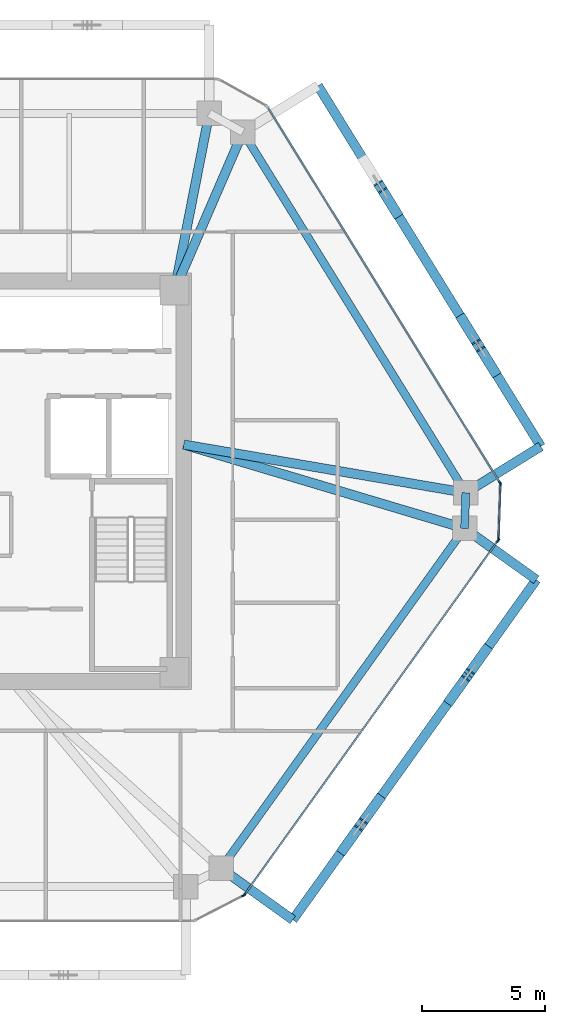
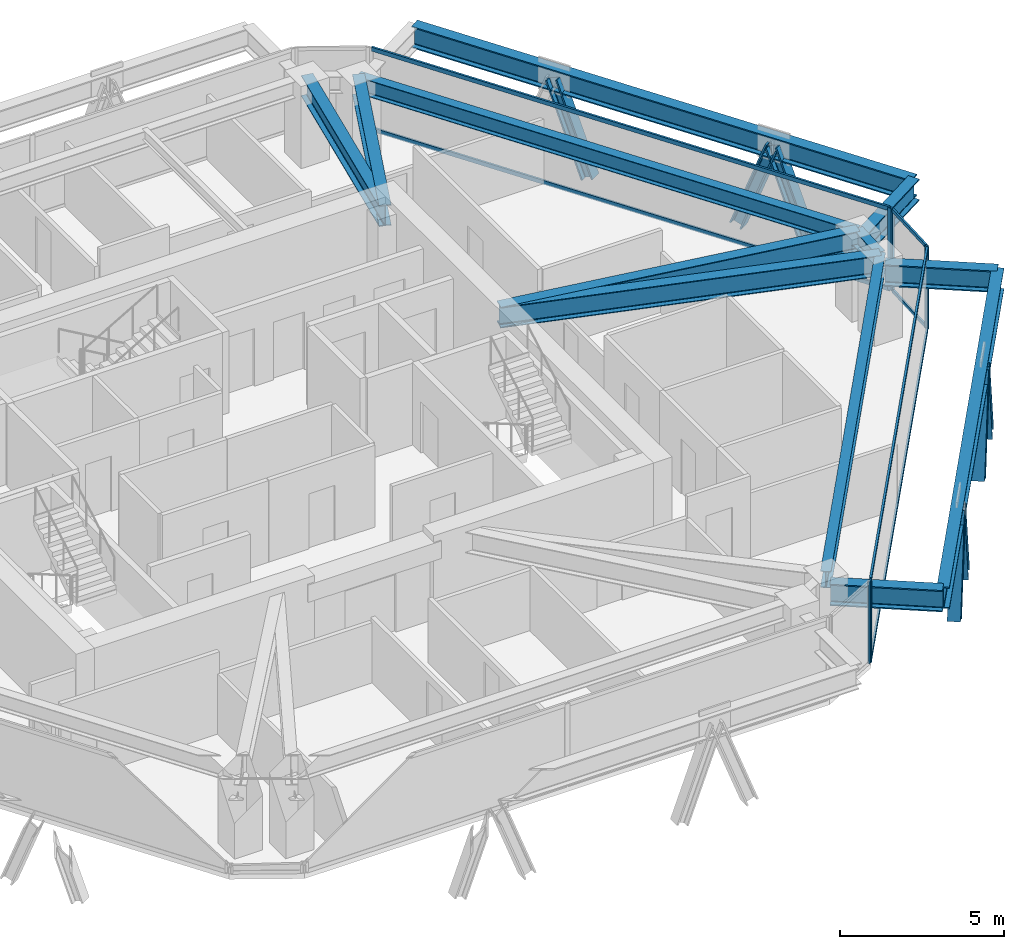
# One storey, part 5 of 14: 19 members, 12 beams, 4 elements without a shape of their own.
"""IFC4 building model written with IfcOpenShell, lengths in metres."""

from ifc_helpers import new_model, si_unit, direction, frame, origin, origin_2d, place, context, subcontext, project, spatial, rectangle, i_section, extrude, source, transform, mapped, material, layer, layer_set, material_profile, profile_set, type_object, type_shapes, element, aggregate, save


model = new_model("IFC4")

# Units and contexts
model_context = context("Model", 3, precision=1e-05, world=origin(), true_north=direction((0.0, 1.0)))
body_context = subcontext(model_context, "Body", "Model", "MODEL_VIEW")
ifc_project = project(units=[si_unit("LENGTHUNIT", "METRE"), si_unit("AREAUNIT", "SQUARE_METRE"), si_unit("VOLUMEUNIT", "CUBIC_METRE"), si_unit("PLANEANGLEUNIT", "RADIAN"), si_unit("MASSUNIT", "GRAM", prefix="KILO")], contexts=[model_context])

# Site, building, storey
site_placement = place(None, origin())
site = spatial("IfcSite", under=ifc_project, at=site_placement, CompositionType="ELEMENT")
building_placement = place(site_placement, origin())
building = spatial("IfcBuilding", under=site, at=building_placement, Name="Durnholm Broadcast Tower", CompositionType="ELEMENT")
storey_placement = place(building_placement, frame((0.0, 0.0, 173.800048828125)))
storey = spatial("IfcBuildingStorey", under=building, at=storey_placement, Name="L47", CompositionType="ELEMENT", Elevation=173.800048828125)

# Beams
ifc_material_1 = material(Name="Steel ASTM A992 Grade 50", Category="steel")
ifc_material_profile_1 = material_profile(ifc_material_1, i_section(OverallWidth=0.385009765625, OverallDepth=0.802978515625, WebThickness=0.023681640625, FlangeThickness=0.0419921875, FilletRadius=0.032958984375, at=origin_2d()), Name="W30X261")
ifc_profile_set_1 = profile_set([ifc_material_profile_1], Name="Steel ASTM A992 Grade 50")
beam_type_1 = type_object("IfcBeamType", Name="BM-EXO-TIE", PredefinedType="USERDEFINED", material=ifc_profile_set_1)
shared_shape_1 = source(origin(), body_context, "Body", "SweptSolid", [
    extrude(i_section(OverallWidth=0.385009765625, OverallDepth=0.802978515625, WebThickness=0.023681640625, FlangeThickness=0.0419921875, FilletRadius=0.032958984375, at=origin_2d()), origin(), (0.0, 0.0, 1.0), 3.4560546875),
])
for number, where, z_axis, x_axis, name in (
    (1, (11.81689453125, -15.884033203125, 2.30859375), (0.813079048773, -0.582153296346, 0.0), (0.582153296346, 0.813079048773, 0.0), "L47 exoskeleton stand-off tie bracket F2.1"),
    (2, (21.7548828125, -2.00341796875, 2.30859375), (0.813079048773, -0.582153296346, 0.0), (0.582153296346, 0.813079048773, 0.0), "L47 exoskeleton stand-off tie bracket F2.2"),
    (3, (21.8095703125, -0.3916015625, 2.30859375), (0.850662348375, 0.525712439512, 0.0), (-0.525712439512, 0.850662348375, 0.0), "L47 exoskeleton stand-off tie bracket F3.1"),
):
    element("IfcBeam", number, at=place(storey_placement, frame(where, z_axis=z_axis, x_axis=x_axis)), inside=storey, type_object=beam_type_1, Name=name, ObjectType="GIRDER", PredefinedType="USERDEFINED", context=body_context, shape_type="MappedRepresentation", body=[
        mapped(shared_shape_1, transform((0.0, 0.0, 0.0), x_axis=(1.0, 0.0, 0.0), y_axis=(0.0, 1.0, 0.0), z_axis=(0.0, 0.0, 1.0), scale=1.0)),
    ])
ifc_material_profile_2 = material_profile(ifc_material_1, i_section(OverallWidth=0.3251953125, OverallDepth=0.6162109375, WebThickness=0.013916015625, FlangeThickness=0.021484375, FilletRadius=0.02783203125, at=origin_2d()), Name="W24X117")
ifc_profile_set_2 = profile_set([ifc_material_profile_2], Name="Steel ASTM A992 Grade 50")
beam_type_2 = type_object("IfcBeamType", Name="STL-SP-W24X117", PredefinedType="SPANDREL", material=ifc_profile_set_2)
shared_shape_2 = source(origin(), body_context, "Body", "SweptSolid", [
    extrude(i_section(OverallWidth=0.3251953125, OverallDepth=0.6162109375, WebThickness=0.013916015625, FlangeThickness=0.021484375, FilletRadius=0.02783203125, at=origin_2d()), origin(), (0.0, 0.0, 1.0), 17.30322265625),
])
beam_1_placement = place(storey_placement, frame((12.5908203125, 14.252197265625, 2.73681640625), z_axis=(0.525691424148, -0.850675335588, 0.0), x_axis=(0.850675335588, 0.525691424148, 0.0)))
element("IfcBeam", 4, at=beam_1_placement, inside=storey, type_object=beam_type_2, Name="L47 perimeter spandrel girder 07", PredefinedType="SPANDREL", context=body_context, shape_type="MappedRepresentation", body=[
    mapped(shared_shape_2, transform((0.0, 0.0, 0.0), x_axis=(1.0, 0.0, 0.0), y_axis=(0.0, 1.0, 0.0), z_axis=(0.0, 0.0, 1.0), scale=1.0)),
])
shared_shape_3 = source(origin(), body_context, "Body", "SweptSolid", [
    extrude(i_section(OverallWidth=0.3251953125, OverallDepth=0.6162109375, WebThickness=0.013916015625, FlangeThickness=0.021484375, FilletRadius=0.02783203125, at=origin_2d()), origin(), (0.0, 0.0, 1.0), 1.453125),
])
beam_2_placement = place(storey_placement, frame((21.68701171875, -0.46728515625, 2.73681640625), z_axis=(-0.033767922326, -0.99942970109, 0.0), x_axis=(0.99942970109, -0.033767922326, 0.0)))
element("IfcBeam", 5, at=beam_2_placement, inside=storey, type_object=beam_type_2, Name="L47 perimeter spandrel girder 08", PredefinedType="SPANDREL", context=body_context, shape_type="MappedRepresentation", body=[
    mapped(shared_shape_3, transform((0.0, 0.0, 0.0), x_axis=(1.0, 0.0, 0.0), y_axis=(0.0, 1.0, 0.0), z_axis=(0.0, 0.0, 1.0), scale=1.0)),
])
shared_shape_4 = source(origin(), body_context, "Body", "SweptSolid", [
    extrude(i_section(OverallWidth=0.3251953125, OverallDepth=0.6162109375, WebThickness=0.013916015625, FlangeThickness=0.021484375, FilletRadius=0.02783203125, at=origin_2d()), origin(), (0.0, 0.0, 1.0), 17.071533203125),
])
type_shapes(beam_type_2, [shared_shape_2, shared_shape_3, shared_shape_4])
beam_3_placement = place(storey_placement, frame((21.637939453125, -1.919677734375, 2.73681640625), z_axis=(-0.582149612352, -0.813081686449, 0.0), x_axis=(0.813081686449, -0.582149612352, 0.0)))
element("IfcBeam", 6, at=beam_3_placement, inside=storey, type_object=beam_type_2, Name="L47 perimeter spandrel girder 09", PredefinedType="SPANDREL", context=body_context, shape_type="MappedRepresentation", body=[
    mapped(shared_shape_4, transform((0.0, 0.0, 0.0), x_axis=(1.0, 0.0, 0.0), y_axis=(0.0, 1.0, 0.0), z_axis=(0.0, 0.0, 1.0), scale=1.0)),
])
ifc_material_profile_3 = material_profile(ifc_material_1, i_section(OverallWidth=0.380615234375, OverallDepth=0.773193359375, WebThickness=0.0166015625, FlangeThickness=0.027099609375, FilletRadius=0.032958984375, at=origin_2d()), Name="W30X173")
ifc_profile_set_3 = profile_set([ifc_material_profile_3], Name="Steel ASTM A992 Grade 50")
beam_type_3 = type_object("IfcBeamType", Name="STL-GR-W30X173", PredefinedType="USERDEFINED", material=ifc_profile_set_3)
shared_shape_5 = source(origin(), body_context, "Body", "SweptSolid", [
    extrude(i_section(OverallWidth=0.380615234375, OverallDepth=0.773193359375, WebThickness=0.0166015625, FlangeThickness=0.027099609375, FilletRadius=0.032958984375, at=origin_2d()), origin(), (0.0, 0.0, 1.0), 7.35595703125),
])
beam_4_placement = place(storey_placement, frame((9.800048828125, 7.800048828125, 2.658447265625), z_axis=(0.192700221893, 0.981257674865, 0.0), x_axis=(-0.981257674865, 0.192700221893, 0.0)))
element("IfcBeam", 7, at=beam_4_placement, inside=storey, type_object=beam_type_3, Name="L47 radial primary floor girder 06", ObjectType="GIRDER", PredefinedType="USERDEFINED", context=body_context, shape_type="MappedRepresentation", body=[
    mapped(shared_shape_5, transform((0.0, 0.0, 0.0), x_axis=(1.0, 0.0, 0.0), y_axis=(0.0, 1.0, 0.0), z_axis=(0.0, 0.0, 1.0), scale=1.0)),
])
shared_shape_6 = source(origin(), body_context, "Body", "SweptSolid", [
    extrude(i_section(OverallWidth=0.380615234375, OverallDepth=0.773193359375, WebThickness=0.0166015625, FlangeThickness=0.027099609375, FilletRadius=0.032958984375, at=origin_2d()), origin(), (0.0, 0.0, 1.0), 7.02978515625),
])
beam_5_placement = place(storey_placement, frame((9.800048828125, 7.800048828125, 2.658447265625), z_axis=(0.396989434191, 0.91782317967, 0.0), x_axis=(-0.91782317967, 0.396989434191, 0.0)))
element("IfcBeam", 8, at=beam_5_placement, inside=storey, type_object=beam_type_3, Name="L47 radial primary floor girder 07", ObjectType="GIRDER", PredefinedType="USERDEFINED", context=body_context, shape_type="MappedRepresentation", body=[
    mapped(shared_shape_6, transform((0.0, 0.0, 0.0), x_axis=(1.0, 0.0, 0.0), y_axis=(0.0, 1.0, 0.0), z_axis=(0.0, 0.0, 1.0), scale=1.0)),
])
shared_shape_7 = source(origin(), body_context, "Body", "SweptSolid", [
    extrude(i_section(OverallWidth=0.385009765625, OverallDepth=0.802978515625, WebThickness=0.023681640625, FlangeThickness=0.0419921875, FilletRadius=0.032958984375, at=origin_2d()), origin(), (0.0, 0.0, 1.0), 17.071533203125),
])
beam_6_placement = place(storey_placement, frame((14.626953125, -17.89599609375, 2.30859375), z_axis=(0.582140157836, 0.813088455603, 0.0), x_axis=(-0.813088455603, 0.582140157836, 0.0)))
element("IfcBeam", 9, at=beam_6_placement, inside=storey, type_object=beam_type_1, Name="L47 exoskeleton collector spandrel F2", PredefinedType="SPANDREL", context=body_context, shape_type="MappedRepresentation", body=[
    mapped(shared_shape_7, transform((0.0, 0.0, 0.0), x_axis=(1.0, 0.0, 0.0), y_axis=(0.0, 1.0, 0.0), z_axis=(0.0, 0.0, 1.0), scale=1.0)),
])
shared_shape_8 = source(origin(), body_context, "Body", "SweptSolid", [
    extrude(i_section(OverallWidth=0.385009765625, OverallDepth=0.802978515625, WebThickness=0.023681640625, FlangeThickness=0.0419921875, FilletRadius=0.032958984375, at=origin_2d()), origin(), (0.0, 0.0, 1.0), 17.303466796875),
])
type_shapes(beam_type_1, [shared_shape_1, shared_shape_7, shared_shape_8])
beam_7_placement = place(storey_placement, frame((24.74951171875, 1.42529296875, 2.30859375), z_axis=(-0.525701634347, 0.850669025911, 0.0), x_axis=(-0.850669025911, -0.525701634347, 0.0)))
element("IfcBeam", 10, at=beam_7_placement, inside=storey, type_object=beam_type_1, Name="L47 exoskeleton collector spandrel F3", PredefinedType="SPANDREL", context=body_context, shape_type="MappedRepresentation", body=[
    mapped(shared_shape_8, transform((0.0, 0.0, 0.0), x_axis=(1.0, 0.0, 0.0), y_axis=(0.0, 1.0, 0.0), z_axis=(0.0, 0.0, 1.0), scale=1.0)),
])
shared_shape_9 = source(origin(), body_context, "Body", "SweptSolid", [
    extrude(i_section(OverallWidth=0.380615234375, OverallDepth=0.773193359375, WebThickness=0.0166015625, FlangeThickness=0.027099609375, FilletRadius=0.032958984375, at=origin_2d()), origin(), (0.0, 0.0, 1.0), 11.678955078125),
])
beam_8_placement = place(storey_placement, frame((10.175048828125, 1.5, 2.658447265625), z_axis=(0.985710446264, -0.168448556317, 0.0), x_axis=(0.168448556317, 0.985710446264, 0.0)))
element("IfcBeam", 11, at=beam_8_placement, inside=storey, type_object=beam_type_3, Name="L47 radial primary floor girder 08", ObjectType="GIRDER", PredefinedType="USERDEFINED", context=body_context, shape_type="MappedRepresentation", body=[
    mapped(shared_shape_9, transform((0.0, 0.0, 0.0), x_axis=(1.0, 0.0, 0.0), y_axis=(0.0, 1.0, 0.0), z_axis=(0.0, 0.0, 1.0), scale=1.0)),
])
shared_shape_10 = source(origin(), body_context, "Body", "SweptSolid", [
    extrude(i_section(OverallWidth=0.380615234375, OverallDepth=0.773193359375, WebThickness=0.0166015625, FlangeThickness=0.027099609375, FilletRadius=0.032958984375, at=origin_2d()), origin(), (0.0, 0.0, 1.0), 11.962158203125),
])
type_shapes(beam_type_3, [shared_shape_5, shared_shape_6, shared_shape_9, shared_shape_10])
beam_9_placement = place(storey_placement, frame((10.175048828125, 1.5, 2.658447265625), z_axis=(0.958266673737, -0.285875815706, 0.0), x_axis=(0.285875815706, 0.958266673737, 0.0)))
element("IfcBeam", 12, at=beam_9_placement, inside=storey, type_object=beam_type_3, Name="L47 radial primary floor girder 09", ObjectType="GIRDER", PredefinedType="USERDEFINED", context=body_context, shape_type="MappedRepresentation", body=[
    mapped(shared_shape_10, transform((0.0, 0.0, 0.0), x_axis=(1.0, 0.0, 0.0), y_axis=(0.0, 1.0, 0.0), z_axis=(0.0, 0.0, 1.0), scale=1.0)),
])

# Members
ifc_material_2 = material(Name="Steel ASTM A913 Grade 65", Category="steel")
ifc_material_profile_4 = material_profile(ifc_material_2, i_section(OverallWidth=0.412109375, OverallDepth=0.434814453125, WebThickness=0.035888671875, FlangeThickness=0.057373046875, FilletRadius=0.030517578125, at=origin_2d()), Name="W14X311")
ifc_profile_set_4 = profile_set([ifc_material_profile_4], Name="Steel ASTM A913 Grade 65")
member_type_1 = type_object("IfcMemberType", Name="STL-DG-W14X311", PredefinedType="BRACE", material=ifc_profile_set_4)
shared_shape_11 = source(origin(), body_context, "Body", "SweptSolid", [
    extrude(i_section(OverallWidth=0.412109375, OverallDepth=0.434814453125, WebThickness=0.035888671875, FlangeThickness=0.057373046875, FilletRadius=0.030517578125, at=origin_2d()), origin(), (0.0, 0.0, 1.0), 3.523193359375),
])
for number, where, z_axis, x_axis, name in (
    (13, (16.69140625, -15.0126953125, -0.991455078125), (0.203869234398, 0.284737826017, 0.936675880815), (-0.813077820009, 0.582155012526, 0.0), "L47 stand-off diagrid brace F2.D1.1"),
    (14, (18.1279296875, -13.00634765625, -0.991455078125), (-0.203869234398, -0.284737826017, 0.936675880815), (0.813077820009, -0.582155012526, 0.0), "L47 stand-off diagrid brace F2.D1.2"),
    (15, (21.064208984375, -8.905029296875, -0.991455078125), (0.203869234398, 0.284737826017, 0.936675880815), (-0.813077820009, 0.582155012526, 0.0), "L47 stand-off diagrid brace F2.D2.1"),
    (16, (22.50048828125, -6.898681640625, -0.991455078125), (-0.203802816986, -0.284741848009, 0.936689111595), (0.813171482985, -0.58202417412, 0.0), "L47 stand-off diagrid brace F2.D2.2"),
    (17, (22.85107421875, 4.497314453125, -0.991455078125), (-0.18411903749, 0.297902800967, 0.936671821509), (-0.850644447398, -0.525741404219, 0.0), "L47 stand-off diagrid brace F3.D1.1"),
):
    element("IfcMember", number, at=place(storey_placement, frame(where, z_axis=z_axis, x_axis=x_axis)), inside=storey, type_object=member_type_1, Name=name, PredefinedType="BRACE", context=body_context, shape_type="MappedRepresentation", body=[
        mapped(shared_shape_11, transform((0.0, 0.0, 0.0), x_axis=(1.0, 0.0, 0.0), y_axis=(0.0, 1.0, 0.0), z_axis=(0.0, 0.0, 1.0), scale=1.0)),
    ])
shared_shape_12 = source(origin(), body_context, "Body", "SweptSolid", [
    extrude(i_section(OverallWidth=0.412109375, OverallDepth=0.434814453125, WebThickness=0.035888671875, FlangeThickness=0.057373046875, FilletRadius=0.030517578125, at=origin_2d()), origin(), (0.0, 0.0, 1.0), 3.52294921875),
])
type_shapes(member_type_1, [shared_shape_11, shared_shape_12])
for number, where, z_axis, x_axis, name in (
    (18, (21.553955078125, 6.59619140625, -0.991455078125), (0.184055888727, -0.297843452465, 0.936703105391), (0.85067825406, 0.525686701439, 0.0), "L47 stand-off diagrid brace F3.D1.2"),
    (19, (18.8486328125, 10.973876953125, -0.991455078125), (-0.184055888727, 0.297843452465, 0.936703105391), (-0.85067825406, -0.525686701439, 0.0), "L47 stand-off diagrid brace F3.D2.1"),
):
    element("IfcMember", number, at=place(storey_placement, frame(where, z_axis=z_axis, x_axis=x_axis)), inside=storey, type_object=member_type_1, Name=name, PredefinedType="BRACE", context=body_context, shape_type="MappedRepresentation", body=[
        mapped(shared_shape_12, transform((0.0, 0.0, 0.0), x_axis=(1.0, 0.0, 0.0), y_axis=(0.0, 1.0, 0.0), z_axis=(0.0, 0.0, 1.0), scale=1.0)),
    ])

# Curtain wall, members
ifc_material_3 = material(Name="Aluminium and Solar Control IGU", Category="aluminium")
ifc_layer_1 = layer(ifc_material_3, 0.1650390625)
ifc_layer_set_1 = layer_set([ifc_layer_1], Name="Aluminium and Solar Control IGU")
curtain_wall_type_1 = type_object("IfcCurtainWallType", Name="CW-SYS-5", PredefinedType="NOTDEFINED", material=ifc_layer_set_1)
curtain_wall_1_placement = place(storey_placement, origin())
curtain_wall_1 = element("IfcCurtainWall", 20, at=curtain_wall_1_placement, inside=storey, type_object=curtain_wall_type_1, Name="L47 curtain wall CW-CORNER CW-L47-CRN-07", PredefinedType="NOTDEFINED")
ifc_material_4 = material(Name="Aluminium 6063-T6", Category="aluminium")
ifc_material_profile_5 = material_profile(ifc_material_4, rectangle(XDim=0.06494140625, YDim=0.1650390625, at=origin_2d()), Name="CWM65X165")
ifc_profile_set_5 = profile_set([ifc_material_profile_5], Name="Aluminium 6063-T6")
member_type_2 = type_object("IfcMemberType", Name="CW-SYS-5-MUL", PredefinedType="MULLION", material=ifc_profile_set_5)
shared_shape_13 = source(origin(), body_context, "Body", "SweptSolid", [
    extrude(rectangle(XDim=0.06494140625, YDim=0.1650390625, at=origin_2d()), origin(), (0.0, 0.0, 1.0), 3.06005859375),
])
type_shapes(member_type_2, [shared_shape_13])
member_1_placement = place(storey_placement, frame((23.099609375, -0.1240234375, 0.0), z_axis=(0.0, 0.0, 1.0), x_axis=(0.999424798802, -0.033912704699, 0.0)))
member_1 = element("IfcMember", 21, at=member_1_placement, type_object=member_type_2, Name="CW-CORNER mullion 1", PredefinedType="MULLION", context=body_context, shape_type="MappedRepresentation", body=[
    mapped(shared_shape_13, transform((0.0, 0.0, 0.0), x_axis=(1.0, 0.0, 0.0), y_axis=(0.0, 1.0, 0.0), z_axis=(0.0, 0.0, 1.0), scale=1.0)),
])
member_2_placement = place(storey_placement, frame((23.023681640625, -2.35791015625, 0.0), z_axis=(0.0, 0.0, 1.0), x_axis=(0.999424798802, -0.033912704699, 0.0)))
member_2 = element("IfcMember", 22, at=member_2_placement, type_object=member_type_2, Name="CW-CORNER mullion 2", PredefinedType="MULLION", context=body_context, shape_type="MappedRepresentation", body=[
    mapped(shared_shape_13, transform((0.0, 0.0, 0.0), x_axis=(1.0, 0.0, 0.0), y_axis=(0.0, 1.0, 0.0), z_axis=(0.0, 0.0, 1.0), scale=1.0)),
])

# Curtain wall, member
curtain_wall_2_placement = place(storey_placement, origin())
curtain_wall_2 = element("IfcCurtainWall", 23, at=curtain_wall_2_placement, inside=storey, type_object=curtain_wall_type_1, Name="L47 curtain wall CW-CORNER CW-L47-CRN-09", PredefinedType="NOTDEFINED")
member_3_placement = place(storey_placement, frame((12.612060546875, -16.905517578125, 0.0), z_axis=(0.0, 0.0, 1.0), x_axis=(0.457081764476, -0.889424679545, 0.0)))
member_3 = element("IfcMember", 24, at=member_3_placement, type_object=member_type_2, Name="CW-CORNER mullion 1", PredefinedType="MULLION", context=body_context, shape_type="MappedRepresentation", body=[
    mapped(shared_shape_13, transform((0.0, 0.0, 0.0), x_axis=(1.0, 0.0, 0.0), y_axis=(0.0, 1.0, 0.0), z_axis=(0.0, 0.0, 1.0), scale=1.0)),
])
aggregate(curtain_wall_2, [member_3])

# Member
ifc_material_profile_6 = material_profile(ifc_material_4, rectangle(XDim=0.06494140625, YDim=0.1298828125, at=origin_2d()), Name="CWT65X130")
ifc_profile_set_6 = profile_set([ifc_material_profile_6], Name="Aluminium 6063-T6")
member_type_3 = type_object("IfcMemberType", Name="CW-SYS-5-TRN", PredefinedType="USERDEFINED", material=ifc_profile_set_6)
shared_shape_14 = source(origin(), body_context, "Body", "SweptSolid", [
    extrude(rectangle(XDim=0.06494140625, YDim=0.1298828125, at=origin_2d()), origin(), (0.0, 0.0, 1.0), 2.170166015625),
])
type_shapes(member_type_3, [shared_shape_14])
member_4_placement = place(storey_placement, frame((23.098388671875, -0.156494140625, 0.032470703125), z_axis=(-0.033861704743, -0.999426528041, 0.0), x_axis=(0.999426528041, -0.033861704743, 0.0)))
member_4 = element("IfcMember", 25, at=member_4_placement, type_object=member_type_3, Name="CW-CORNER transom 1.1", ObjectType="TRANSOM", PredefinedType="USERDEFINED", context=body_context, shape_type="MappedRepresentation", body=[
    mapped(shared_shape_14, transform((0.0, 0.0, 0.0), x_axis=(1.0, 0.0, 0.0), y_axis=(0.0, 1.0, 0.0), z_axis=(0.0, 0.0, 1.0), scale=1.0)),
])

member_5_placement = place(storey_placement, frame((23.098388671875, -0.156494140625, 3.02734375), z_axis=(-0.033861704743, -0.999426528041, 0.0), x_axis=(0.999426528041, -0.033861704743, 0.0)))
member_5 = element("IfcMember", 26, at=member_5_placement, type_object=member_type_3, Name="CW-CORNER transom 1.2", ObjectType="TRANSOM", PredefinedType="USERDEFINED", context=body_context, shape_type="MappedRepresentation", body=[
    mapped(shared_shape_14, transform((0.0, 0.0, 0.0), x_axis=(1.0, 0.0, 0.0), y_axis=(0.0, 1.0, 0.0), z_axis=(0.0, 0.0, 1.0), scale=1.0)),
])

aggregate(curtain_wall_1, [member_1, member_2, member_4, member_5])

# Curtain wall, members
ifc_layer_2 = layer(ifc_material_3, 0.18994140625)
ifc_layer_set_2 = layer_set([ifc_layer_2], Name="Aluminium and Solar Control IGU")
curtain_wall_type_2 = type_object("IfcCurtainWallType", Name="CW-SYS-4", PredefinedType="NOTDEFINED", material=ifc_layer_set_2)
curtain_wall_3_placement = place(storey_placement, origin())
curtain_wall_3 = element("IfcCurtainWall", 27, at=curtain_wall_3_placement, inside=storey, type_object=curtain_wall_type_2, Name="L47 curtain wall CW-Z34-VIS CW-L47-F06", PredefinedType="NOTDEFINED")
ifc_material_profile_7 = material_profile(ifc_material_4, rectangle(XDim=0.070068359375, YDim=0.14990234375, at=origin_2d()), Name="CWT70X150")
ifc_profile_set_7 = profile_set([ifc_material_profile_7], Name="Aluminium 6063-T6")
member_type_4 = type_object("IfcMemberType", Name="CW-SYS-4-TRN", PredefinedType="USERDEFINED", material=ifc_profile_set_7)
shared_shape_15 = source(origin(), body_context, "Body", "SweptSolid", [
    extrude(rectangle(XDim=0.070068359375, YDim=0.14990234375, at=origin_2d()), origin(), (0.0, 0.0, 1.0), 17.950927734375),
])
member_6_placement = place(storey_placement, frame((13.627197265625, 15.23828125, 0.034912109375), z_axis=(0.525699895853, -0.850670100274, 0.0), x_axis=(0.850670100274, 0.525699895853, 0.0)))
member_6 = element("IfcMember", 28, at=member_6_placement, type_object=member_type_4, Name="CW-Z34-VIS transom 1.1", ObjectType="TRANSOM", PredefinedType="USERDEFINED", context=body_context, shape_type="MappedRepresentation", body=[
    mapped(shared_shape_15, transform((0.0, 0.0, 0.0), x_axis=(1.0, 0.0, 0.0), y_axis=(0.0, 1.0, 0.0), z_axis=(0.0, 0.0, 1.0), scale=1.0)),
])
member_7_placement = place(storey_placement, frame((13.627197265625, 15.23828125, 3.02490234375), z_axis=(0.525699895853, -0.850670100274, 0.0), x_axis=(0.850670100274, 0.525699895853, 0.0)))
member_7 = element("IfcMember", 29, at=member_7_placement, type_object=member_type_4, Name="CW-Z34-VIS transom 1.2", ObjectType="TRANSOM", PredefinedType="USERDEFINED", context=body_context, shape_type="MappedRepresentation", body=[
    mapped(shared_shape_15, transform((0.0, 0.0, 0.0), x_axis=(1.0, 0.0, 0.0), y_axis=(0.0, 1.0, 0.0), z_axis=(0.0, 0.0, 1.0), scale=1.0)),
])

curtain_wall_4_placement = place(storey_placement, origin())
curtain_wall_4 = element("IfcCurtainWall", 30, at=curtain_wall_4_placement, inside=storey, type_object=curtain_wall_type_2, Name="L47 curtain wall CW-Z34-VIS CW-L47-F08", PredefinedType="NOTDEFINED")
shared_shape_16 = source(origin(), body_context, "Body", "SweptSolid", [
    extrude(rectangle(XDim=0.070068359375, YDim=0.14990234375, at=origin_2d()), origin(), (0.0, 0.0, 1.0), 17.693603515625),
])
type_shapes(member_type_4, [shared_shape_15, shared_shape_16])
member_8_placement = place(storey_placement, frame((22.98193359375, -2.447265625, 0.034912109375), z_axis=(-0.582144969277, -0.813085010774, 0.0), x_axis=(0.813085010774, -0.582144969277, 0.0)))
member_8 = element("IfcMember", 31, at=member_8_placement, type_object=member_type_4, Name="CW-Z34-VIS transom 1.1", ObjectType="TRANSOM", PredefinedType="USERDEFINED", context=body_context, shape_type="MappedRepresentation", body=[
    mapped(shared_shape_16, transform((0.0, 0.0, 0.0), x_axis=(1.0, 0.0, 0.0), y_axis=(0.0, 1.0, 0.0), z_axis=(0.0, 0.0, 1.0), scale=1.0)),
])
member_9_placement = place(storey_placement, frame((22.98193359375, -2.447265625, 3.02490234375), z_axis=(-0.582144969277, -0.813085010774, 0.0), x_axis=(0.813085010774, -0.582144969277, 0.0)))
member_9 = element("IfcMember", 32, at=member_9_placement, type_object=member_type_4, Name="CW-Z34-VIS transom 1.2", ObjectType="TRANSOM", PredefinedType="USERDEFINED", context=body_context, shape_type="MappedRepresentation", body=[
    mapped(shared_shape_16, transform((0.0, 0.0, 0.0), x_axis=(1.0, 0.0, 0.0), y_axis=(0.0, 1.0, 0.0), z_axis=(0.0, 0.0, 1.0), scale=1.0)),
])

# Member
ifc_material_profile_8 = material_profile(ifc_material_4, rectangle(XDim=0.070068359375, YDim=0.18994140625, at=origin_2d()), Name="CWM70X190")
ifc_profile_set_8 = profile_set([ifc_material_profile_8], Name="Aluminium 6063-T6")
member_type_5 = type_object("IfcMemberType", Name="CW-SYS-4-MUL", PredefinedType="MULLION", material=ifc_profile_set_8)
shared_shape_17 = source(origin(), body_context, "Body", "SweptSolid", [
    extrude(rectangle(XDim=0.070068359375, YDim=0.18994140625, at=origin_2d()), origin(), (0.0, 0.0, 1.0), 3.06005859375),
])
type_shapes(member_type_5, [shared_shape_17])
member_10_placement = place(storey_placement, frame((23.082275390625, -0.061767578125, 0.0), z_axis=(0.0, 0.0, 1.0), x_axis=(0.850671426092, 0.525697750452, 0.0)))
member_10 = element("IfcMember", 33, at=member_10_placement, type_object=member_type_5, Name="CW-Z34-VIS mullion 2", PredefinedType="MULLION", context=body_context, shape_type="MappedRepresentation", body=[
    mapped(shared_shape_17, transform((0.0, 0.0, 0.0), x_axis=(1.0, 0.0, 0.0), y_axis=(0.0, 1.0, 0.0), z_axis=(0.0, 0.0, 1.0), scale=1.0)),
])

aggregate(curtain_wall_3, [member_10, member_6, member_7])

member_11_placement = place(storey_placement, frame((23.00244140625, -2.418701171875, 0.0), z_axis=(0.0, 0.0, 1.0), x_axis=(0.813089262696, -0.582139030549, 0.0)))
member_11 = element("IfcMember", 34, at=member_11_placement, type_object=member_type_5, Name="CW-Z34-VIS mullion 1", PredefinedType="MULLION", context=body_context, shape_type="MappedRepresentation", body=[
    mapped(shared_shape_17, transform((0.0, 0.0, 0.0), x_axis=(1.0, 0.0, 0.0), y_axis=(0.0, 1.0, 0.0), z_axis=(0.0, 0.0, 1.0), scale=1.0)),
])

member_12_placement = place(storey_placement, frame((12.661376953125, -16.8623046875, 0.0), z_axis=(0.0, 0.0, 1.0), x_axis=(0.813089262696, -0.582139030549, 0.0)))
member_12 = element("IfcMember", 35, at=member_12_placement, type_object=member_type_5, Name="CW-Z34-VIS mullion 2", PredefinedType="MULLION", context=body_context, shape_type="MappedRepresentation", body=[
    mapped(shared_shape_17, transform((0.0, 0.0, 0.0), x_axis=(1.0, 0.0, 0.0), y_axis=(0.0, 1.0, 0.0), z_axis=(0.0, 0.0, 1.0), scale=1.0)),
])

aggregate(curtain_wall_4, [member_11, member_12, member_8, member_9])

save(model, "model.ifc")
